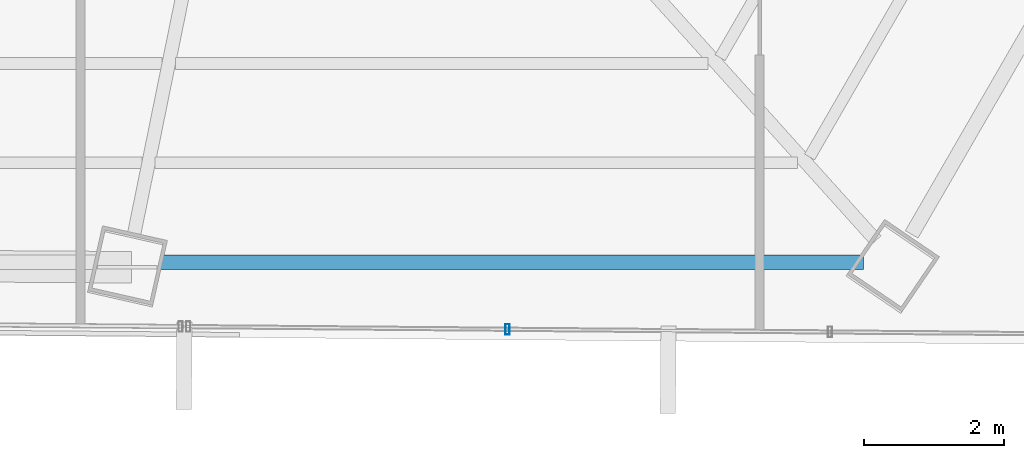
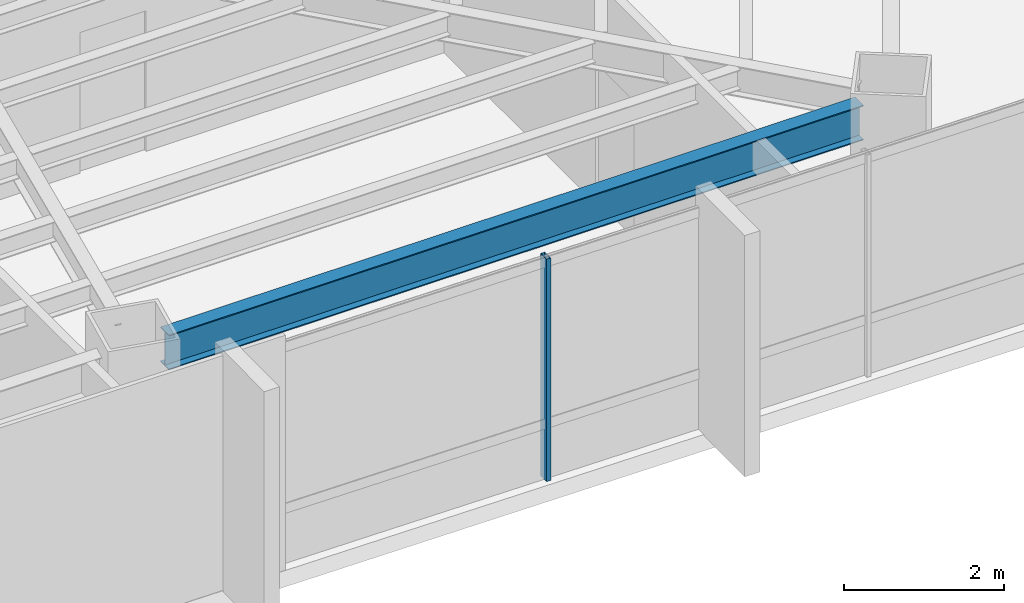
# One storey, part 17 of 38: 1 beam, 1 member, 1 element without a shape of its own.
"""IFC4 building model written with IfcOpenShell, lengths in metres."""

from ifc_helpers import new_model, si_unit, direction, frame, origin, origin_2d, place, context, subcontext, project, spatial, hollow_rectangle, i_section, extrude, source, transform, mapped, material, material_profile, profile_set, type_object, type_shapes, element, aggregate, save


model = new_model("IFC4")

# Units and contexts
model_context = context("Model", 3, precision=1e-05, world=origin(), true_north=direction((0.0, 1.0)))
body_context = subcontext(model_context, "Body", "Model", "MODEL_VIEW")
ifc_project = project(units=[si_unit("LENGTHUNIT", "METRE"), si_unit("AREAUNIT", "SQUARE_METRE"), si_unit("VOLUMEUNIT", "CUBIC_METRE"), si_unit("PLANEANGLEUNIT", "RADIAN"), si_unit("MASSUNIT", "GRAM", prefix="KILO")], contexts=[model_context])

# Site, building, storey
site_placement = place(None, origin())
site = spatial("IfcSite", under=ifc_project, at=site_placement, CompositionType="ELEMENT")
building_placement = place(site_placement, origin())
building = spatial("IfcBuilding", under=site, at=building_placement, Name="Caelisora Broadcast Tower", CompositionType="ELEMENT")
storey_placement = place(building_placement, frame((0.0, 0.0, 158.5)))
storey = spatial("IfcBuildingStorey", under=building, at=storey_placement, Name="L41", CompositionType="ELEMENT", Elevation=158.5)

# Beam
ifc_material_1 = material(Name="Steel Grade 350 (AS/NZS 3679.1)", Category="steel")
ifc_material_profile_1 = material_profile(ifc_material_1, i_section(OverallWidth=0.208984375, OverallDepth=0.532958984375, WebThickness=0.01025390625, FlangeThickness=0.015625, at=origin_2d()), Name="Steel Grade 350 (AS/NZS 3679.1)")
ifc_profile_set_1 = profile_set([ifc_material_profile_1], Name="Steel Grade 350 (AS/NZS 3679.1)")
beam_type = type_object("IfcBeamType", Name="PG05", PredefinedType="BEAM", material=ifc_profile_set_1)
shared_shape_1 = source(origin(), body_context, "Body", "SweptSolid", [
    extrude(i_section(OverallWidth=0.208984375, OverallDepth=0.532958984375, WebThickness=0.01025390625, FlangeThickness=0.015625, at=origin_2d()), origin(), (0.0, 0.0, 1.0), 10.043212890625),
])
type_shapes(beam_type, [shared_shape_1])
beam_placement = place(storey_placement, frame((43.94140625, 7.465087890625, 3.133544921875), z_axis=(1.0, 0.0, 0.0), x_axis=(0.0, 1.0, 0.0)))
element("IfcBeam", 1, at=beam_placement, inside=storey, type_object=beam_type, Name="L41 beam PG05", PredefinedType="BEAM", context=body_context, shape_type="MappedRepresentation", body=[
    mapped(shared_shape_1, transform((0.0, 0.0, 0.0), scale=1.0)),
])

# Curtain wall, member
ifc_material_2 = material(Name="Unitised Aluminium and Low-E Glass Curtain Wall", Category="glass")
curtain_wall_type = type_object("IfcCurtainWallType", Name="CW-Z3", PredefinedType="NOTDEFINED", material=ifc_material_2)
curtain_wall_placement = place(storey_placement, origin())
curtain_wall = element("IfcCurtainWall", 2, at=curtain_wall_placement, inside=storey, type_object=curtain_wall_type, Name="L41 curtain wall CW-Z3", PredefinedType="NOTDEFINED")
ifc_material_3 = material(Name="Aluminium 6063-T6 Anodised Terracotta Bronze", Category="aluminium")
ifc_material_profile_2 = material_profile(ifc_material_3, hollow_rectangle(XDim=0.06005859375, YDim=0.14990234375, WallThickness=0.00341796875, at=origin_2d()), Name="Aluminium 6063-T6 Anodised Terracotta Bronze")
ifc_profile_set_2 = profile_set([ifc_material_profile_2], Name="Aluminium 6063-T6 Anodised Terracotta Bronze")
member_type = type_object("IfcMemberType", Name="CWM-03", PredefinedType="MULLION", material=ifc_profile_set_2)
shared_shape_2 = source(origin(), body_context, "Body", "SweptSolid", [
    extrude(hollow_rectangle(XDim=0.06005859375, YDim=0.14990234375, WallThickness=0.00341796875, at=origin_2d()), origin(), (0.0, 0.0, 1.0), 3.39990234375),
])
type_shapes(member_type, [shared_shape_2])
member_placement = place(storey_placement, frame((48.8974609375, 6.506591796875, 0.0), z_axis=(0.0, 0.0, 1.0), x_axis=(1.0, 0.0, 0.0)))
member = element("IfcMember", 3, at=member_placement, type_object=member_type, Name="L41-CW-B05 mullion #2", PredefinedType="MULLION", context=body_context, shape_type="MappedRepresentation", body=[
    mapped(shared_shape_2, transform((0.0, 0.0, 0.0), scale=1.0)),
])
aggregate(curtain_wall, [member])

save(model, "model.ifc")
